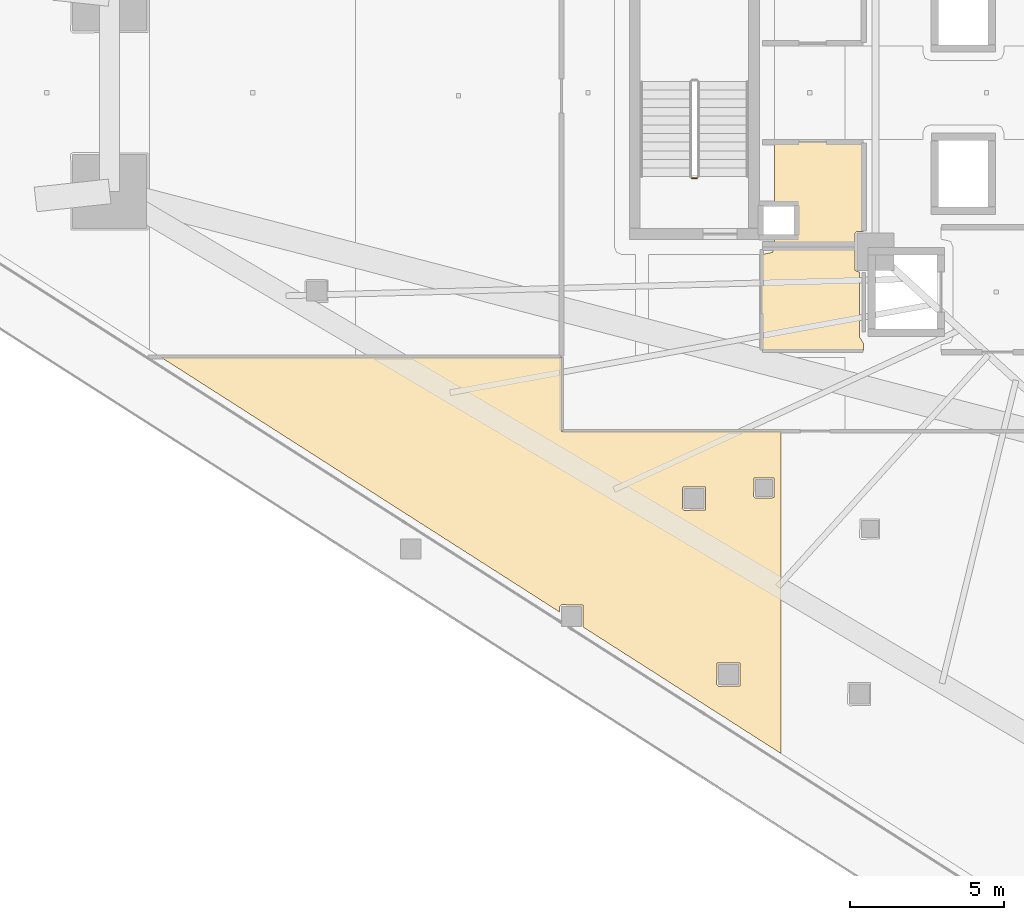
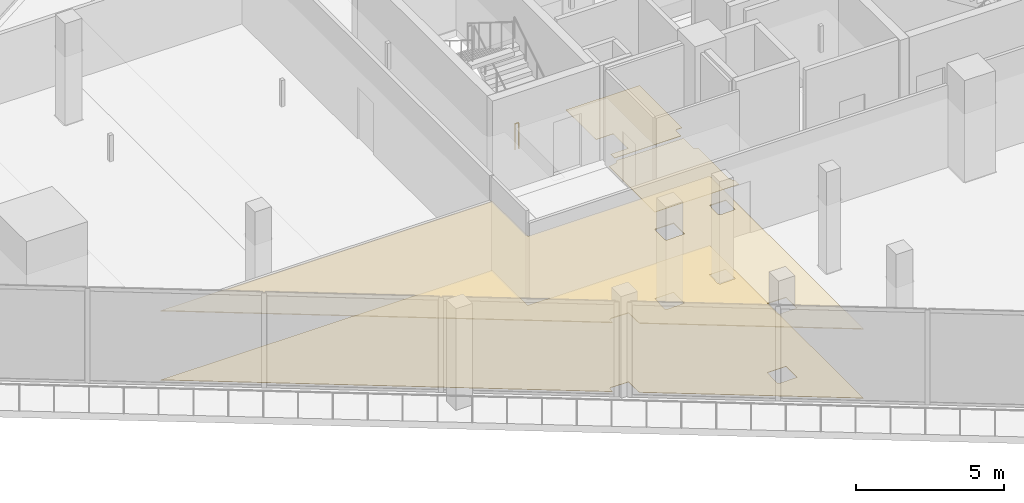
# One storey, part 35 of 42: 4 coverings, 1 railing.
"""IFC4 building model written with IfcOpenShell, lengths in metres."""

from ifc_helpers import new_model, si_unit, direction, frame, origin, origin_2d, place, context, subcontext, project, spatial, polyline, circle, outline, extrude, material, layer, layer_set, type_object, element, save


model = new_model("IFC4")

# Units and contexts
model_context = context("Model", 3, precision=1e-05, world=origin(), true_north=direction((0.0, 1.0)))
body_context = subcontext(model_context, "Body", "Model", "MODEL_VIEW")
ifc_project = project(units=[si_unit("LENGTHUNIT", "METRE"), si_unit("AREAUNIT", "SQUARE_METRE"), si_unit("VOLUMEUNIT", "CUBIC_METRE"), si_unit("PLANEANGLEUNIT", "RADIAN"), si_unit("MASSUNIT", "GRAM", prefix="KILO")], contexts=[model_context])

# Site, building, storey
site_placement = place(None, origin())
site = spatial("IfcSite", under=ifc_project, at=site_placement, CompositionType="ELEMENT")
building_placement = place(site_placement, origin())
building = spatial("IfcBuilding", under=site, at=building_placement, Name="Qorvath Tower", CompositionType="ELEMENT")
storey_placement = place(building_placement, frame((0.0, 0.0, 32.39990234375)))
storey = spatial("IfcBuildingStorey", under=building, at=storey_placement, Name="L06", CompositionType="ELEMENT", Elevation=32.39990234375)

# Coverings
ifc_material_1 = material(Name="Acoustic mineral fibre ceiling tile", Category="gypsum")
ifc_layer_1 = layer(ifc_material_1, 0.030029296875)
ifc_layer_set_1 = layer_set([ifc_layer_1], Name="COV-CEIL")
covering_type_1 = type_object("IfcCoveringType", Name="COV-CEIL", PredefinedType="CEILING", material=ifc_layer_set_1)
covering_1_placement = place(storey_placement, frame((0.0, 0.0, 2.85009765625)))
element("IfcCovering", 1, at=covering_1_placement, inside=storey, type_object=covering_type_1, Name="L06 Suspended Acoustic Ceiling 013", PredefinedType="CEILING", context=body_context, shape_type="SweptSolid", body=[
    extrude(outline(polyline([(-33.55078125, -21.390869140625), (-33.55078125, -10.962890625), (-40.657958984375, -10.962890625), (-40.6630859375, -8.554931640625), (-53.63427734375, -8.554931640625), (-40.717529296875, -16.810546875), (-40.717529296875, -16.630859375), (-40.657470703125, -16.57080078125), (-39.965087890625, -16.58837890625), (-39.95458984375, -17.298095703125), (-33.55078125, -21.390869140625)]), holes=[polyline([(-34.439208984375, -13.0673828125), (-34.421630859375, -12.47509765625), (-33.786865234375, -12.47509765625), (-33.786865234375, -13.10986328125), (-34.379150390625, -13.12744140625), (-34.439208984375, -13.0673828125)]), polyline([(-35.63671875, -19.154296875), (-35.619140625, -18.4619140625), (-34.88427734375, -18.4619140625), (-34.88427734375, -19.19677734375), (-35.57666015625, -19.21435546875), (-35.63671875, -19.154296875)]), polyline([(-36.749755859375, -13.46044921875), (-36.732177734375, -12.76806640625), (-35.997314453125, -12.76806640625), (-35.997314453125, -13.5029296875), (-36.689697265625, -13.5205078125), (-36.749755859375, -13.46044921875)])]), origin(), (0.0, 0.0, 1.0), 0.030029296875),
])
ifc_material_2 = material(Name="Low-VOC modular carpet tile", Category="textile")
ifc_layer_2 = layer(ifc_material_2, 0.014892578125)
ifc_layer_set_2 = layer_set([ifc_layer_2], Name="COV-FLOOR-CPT")
covering_type_2 = type_object("IfcCoveringType", Name="COV-FLOOR-CPT", PredefinedType="FLOORING", material=ifc_layer_set_2)
covering_2_placement = place(storey_placement, origin())
element("IfcCovering", 2, at=covering_2_placement, inside=storey, type_object=covering_type_2, Name="L06 Floor Finish 006", PredefinedType="FLOORING", context=body_context, shape_type="SweptSolid", body=[
    extrude(outline(polyline([(-30.885009765625, -4.489990234375), (-30.885009765625, -1.60498046875), (-33.760009765625, -1.60498046875), (-33.760009765625, -3.636962890625), (-33.08837890625, -3.638427734375), (-33.0869140625, -4.6279296875), (-33.760009765625, -4.633056640625), (-33.760009765625, -4.89501953125), (-31.159912109375, -4.89501953125), (-31.159912109375, -4.550048828125), (-31.10009765625, -4.489990234375), (-30.885009765625, -4.489990234375)])), origin(), (0.0, 0.0, 1.0), 0.01513671875),
])
covering_3_placement = place(storey_placement, origin())
element("IfcCovering", 3, at=covering_3_placement, inside=storey, type_object=covering_type_2, Name="L06 Floor Finish 013", PredefinedType="FLOORING", context=body_context, shape_type="SweptSolid", body=[
    extrude(outline(polyline([(-33.55078125, -21.390869140625), (-33.55078125, -10.962890625), (-40.657958984375, -10.962890625), (-40.6630859375, -8.554931640625), (-53.63427734375, -8.554931640625), (-40.717529296875, -16.810546875), (-40.717529296875, -16.630859375), (-40.657470703125, -16.57080078125), (-39.965087890625, -16.58837890625), (-39.95458984375, -17.298095703125), (-33.55078125, -21.390869140625)]), holes=[polyline([(-34.439208984375, -13.0673828125), (-34.421630859375, -12.47509765625), (-33.786865234375, -12.47509765625), (-33.786865234375, -13.10986328125), (-34.379150390625, -13.12744140625), (-34.439208984375, -13.0673828125)]), polyline([(-35.63671875, -19.154296875), (-35.619140625, -18.4619140625), (-34.88427734375, -18.4619140625), (-34.88427734375, -19.19677734375), (-35.57666015625, -19.21435546875), (-35.63671875, -19.154296875)]), polyline([(-36.749755859375, -13.46044921875), (-36.732177734375, -12.76806640625), (-35.997314453125, -12.76806640625), (-35.997314453125, -13.5029296875), (-36.689697265625, -13.5205078125), (-36.749755859375, -13.46044921875)])]), origin(), (0.0, 0.0, 1.0), 0.01513671875),
])
ifc_material_3 = material(Name="Polished epoxy terrazzo flooring", Category="concrete")
ifc_layer_3 = layer(ifc_material_3, 0.02001953125)
ifc_layer_set_3 = layer_set([ifc_layer_3], Name="COV-FLOOR-TRZ")
covering_type_3 = type_object("IfcCoveringType", Name="COV-FLOOR-TRZ", PredefinedType="FLOORING", material=ifc_layer_set_3)
covering_4_placement = place(storey_placement, origin())
element("IfcCovering", 4, at=covering_4_placement, inside=storey, type_object=covering_type_3, Name="L06 Floor Finish 005", PredefinedType="FLOORING", context=body_context, shape_type="SweptSolid", body=[
    extrude(outline(polyline([(-31.159912109375, -5.054931640625), (-33.786865234375, -5.054931640625), (-33.833251953125, -5.166748046875), (-34.175048828125, -5.239990234375), (-34.175048828125, -8.344970703125), (-30.885009765625, -8.344970703125), (-30.885009765625, -8.108154296875), (-31.010009765625, -7.909912109375), (-31.010009765625, -5.81005859375), (-31.159912109375, -5.75), (-31.159912109375, -5.054931640625)])), origin(), (0.0, 0.0, 1.0), 0.01513671875),
])

# Railing
ifc_material_4 = material(Name="Painted galvanised steel", Category="steel")
railing_type = type_object("IfcRailingType", Name="RL-STR-GRD", PredefinedType="GUARDRAIL", material=ifc_material_4)
railing_placement = place(storey_placement, frame((-36.280029296875, -2.77001953125, 0.0)))
element("IfcRailing", 5, at=railing_placement, inside=storey, type_object=railing_type, Name="L06 TS3 stair guard 4", PredefinedType="GUARDRAIL", context=body_context, shape_type="SweptSolid", body=[
    extrude(circle(Radius=0.02392578125, at=origin_2d()), frame((0.0, 0.0, 1.076171875), z_axis=(-1.0, 0.0, 0.0), x_axis=(0.0, -1.0, 0.0)), (0.0, 0.0, 1.0), 0.14990234375),
    extrude(circle(Radius=0.02099609375, at=origin_2d()), origin(), (0.0, 0.0, 1.0), 1.052001953125),
    extrude(circle(Radius=0.02099609375, at=origin_2d()), frame((-0.14990234375, 0.0, 0.0)), (0.0, 0.0, 1.0), 1.052001953125),
])

save(model, "model.ifc")
